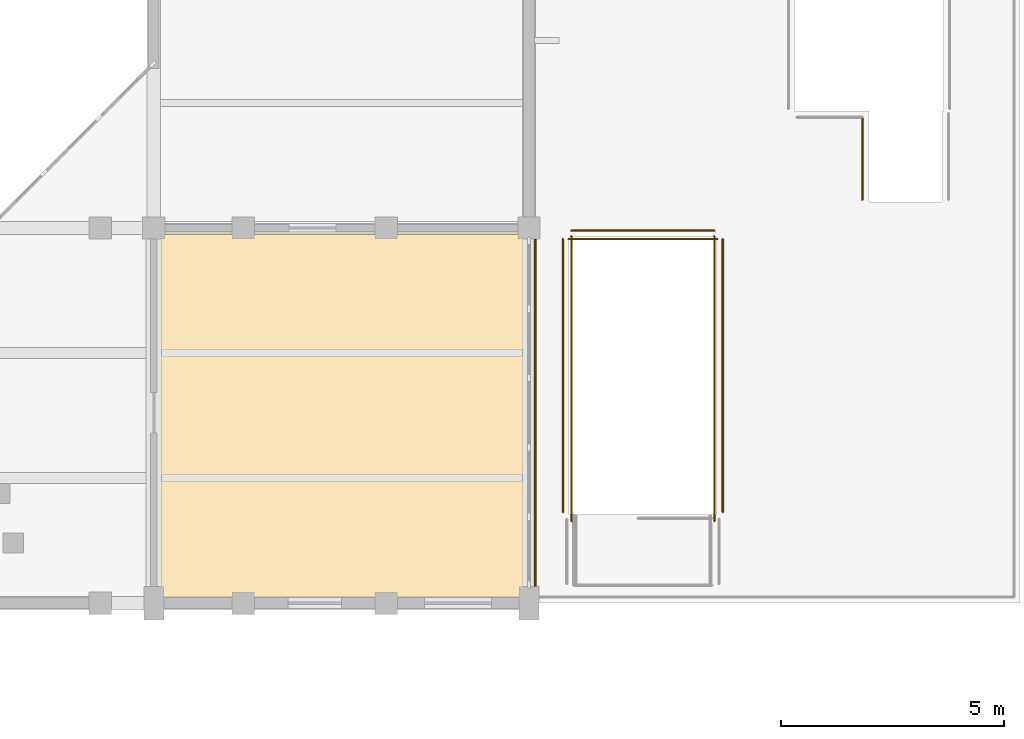
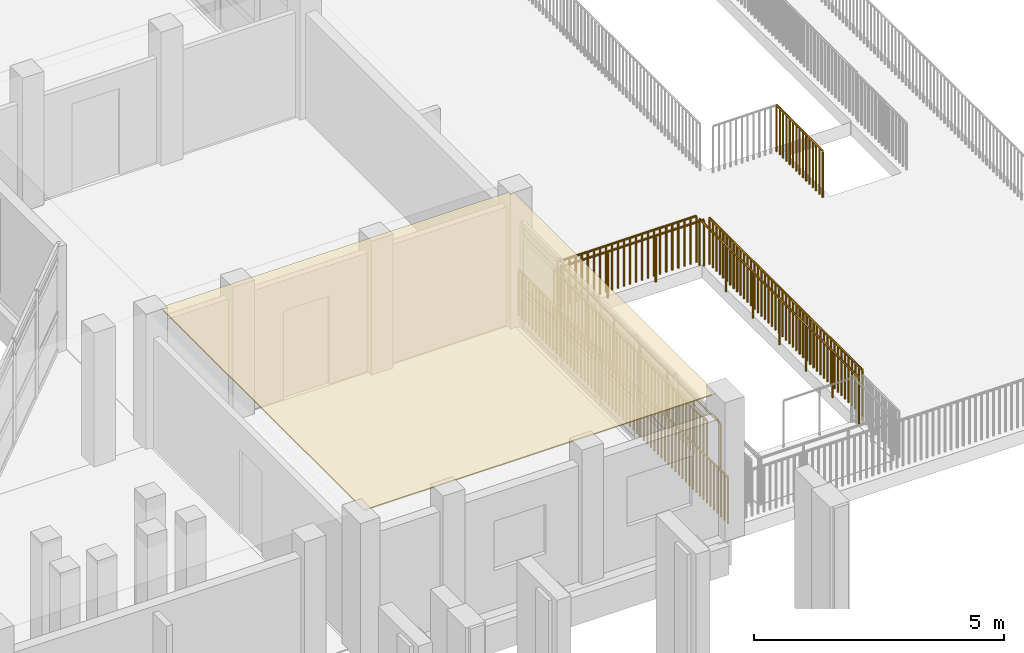
# One storey, part 82 of 104: 8 railings, 1 covering.
"""IFC4 building model written with IfcOpenShell, lengths in metres."""

from ifc_helpers import new_model, si_unit, direction, frame, origin, origin_2d, place, context, subcontext, project, spatial, polyline, circle, outline, extrude, material, layer, layer_set, type_object, element, save


model = new_model("IFC4")

# Units and contexts
model_context = context("Model", 3, precision=1e-05, world=origin(), true_north=direction((0.0, 1.0)))
body_context = subcontext(model_context, "Body", "Model", "MODEL_VIEW")
ifc_project = project(units=[si_unit("LENGTHUNIT", "METRE"), si_unit("AREAUNIT", "SQUARE_METRE"), si_unit("VOLUMEUNIT", "CUBIC_METRE"), si_unit("PLANEANGLEUNIT", "RADIAN"), si_unit("MASSUNIT", "GRAM", prefix="KILO")], contexts=[model_context])

# Site, building, storey
site_placement = place(None, origin())
site = spatial("IfcSite", under=ifc_project, at=site_placement, CompositionType="ELEMENT")
building_placement = place(site_placement, origin())
building = spatial("IfcBuilding", under=site, at=building_placement, Name="Vanh Quang Courtyard School", CompositionType="ELEMENT")
storey_placement = place(building_placement, frame((0.0, 0.0, 4.199951171875)))
storey = spatial("IfcBuildingStorey", under=building, at=storey_placement, Name="L01", CompositionType="ELEMENT", Elevation=4.199951171875)

# Covering
ifc_material_1 = material(Name="Perforated mineral-fibre acoustic ceiling board")
ifc_layer = layer(ifc_material_1, 0.02490234375)
ifc_layer_set = layer_set([ifc_layer], Name="Perforated mineral-fibre acoustic ceiling board")
covering_type = type_object("IfcCoveringType", Name="COV-CEIL-ACOUSTIC", PredefinedType="CEILING", material=ifc_layer_set)
covering_placement = place(storey_placement, frame((0.0, 0.0, 3.255126953125)))
element("IfcCovering", 1, at=covering_placement, inside=storey, type_object=covering_type, Name="Covering CV-CL1 (L01)", PredefinedType="CEILING", context=body_context, shape_type="SweptSolid", body=[
    extrude(outline(polyline([(111.159912109375, 4.330078125), (111.158935546875, 4.330078125), (111.157958984375, 4.330078125), (111.156982421875, 4.330322265625), (111.15625, 4.330810546875), (111.1552734375, 4.331298828125), (111.154296875, 4.331787109375), (111.15380859375, 4.332275390625), (111.15283203125, 4.3330078125), (111.15234375, 4.333740234375), (111.151611328125, 4.33447265625), (111.151123046875, 4.335205078125), (111.15087890625, 4.336181640625), (111.150390625, 4.337158203125), (111.150146484375, 4.337890625), (111.14990234375, 4.339111328125), (111.14990234375, 4.340087890625), (111.14990234375, 12.4599609375), (111.14990234375, 12.4609375), (111.150146484375, 12.4619140625), (111.150390625, 12.462890625), (111.15087890625, 12.4638671875), (111.151123046875, 12.464599609375), (111.151611328125, 12.465576171875), (111.15234375, 12.46630859375), (111.15283203125, 12.467041015625), (111.15380859375, 12.4677734375), (111.154296875, 12.46826171875), (111.1552734375, 12.46875), (111.15625, 12.46923828125), (111.156982421875, 12.469482421875), (111.157958984375, 12.4697265625), (111.158935546875, 12.469970703125), (111.159912109375, 12.469970703125), (119.260009765625, 12.469970703125), (119.260986328125, 12.469970703125), (119.261962890625, 12.4697265625), (119.262939453125, 12.469482421875), (119.263916015625, 12.46923828125), (119.2646484375, 12.46875), (119.265625, 12.46826171875), (119.266357421875, 12.4677734375), (119.26708984375, 12.467041015625), (119.267578125, 12.46630859375), (119.268310546875, 12.465576171875), (119.268798828125, 12.464599609375), (119.269287109375, 12.4638671875), (119.26953125, 12.462890625), (119.269775390625, 12.4619140625), (119.27001953125, 12.4609375), (119.27001953125, 12.4599609375), (119.27001953125, 4.340087890625), (119.27001953125, 4.339111328125), (119.269775390625, 4.337890625), (119.26953125, 4.337158203125), (119.269287109375, 4.336181640625), (119.268798828125, 4.335205078125), (119.268310546875, 4.33447265625), (119.267578125, 4.333740234375), (119.26708984375, 4.3330078125), (119.266357421875, 4.332275390625), (119.265625, 4.331787109375), (119.2646484375, 4.331298828125), (119.263916015625, 4.330810546875), (119.262939453125, 4.330322265625), (119.261962890625, 4.330078125), (119.260986328125, 4.330078125), (119.260009765625, 4.330078125), (111.159912109375, 4.330078125)])), origin(), (0.0, 0.0, 1.0), 0.02490234375),
])

# Railings
ifc_material_2 = material(Name="Galvanised painted steel EN 10025-2 S355J2", Category="steel")
railing_type = type_object("IfcRailingType", Name="RAIL-GUARD-1150", PredefinedType="BALUSTRADE", material=ifc_material_2)
railing_1_placement = place(storey_placement, frame((119.5400390625, 4.340087890625, 0.0)))
element("IfcRailing", 2, at=railing_1_placement, inside=storey, type_object=railing_type, Name="Railing GR-01 (L01)", PredefinedType="BALUSTRADE", context=body_context, shape_type="SweptSolid", body=[
    extrude(circle(Radius=0.02392578125, at=origin_2d()), frame((0.0, 0.0, 1.1259765625), z_axis=(0.0, 1.0, 0.0), x_axis=(-1.0, 0.0, 0.0)), (0.0, 0.0, 1.0), 8.365234375),
    extrude(circle(Radius=0.02099609375, at=origin_2d()), origin(), (0.0, 0.0, 1.0), 1.101806640625),
    extrude(circle(Radius=0.02099609375, at=origin_2d()), frame((0.0, 0.139404296875, 0.0)), (0.0, 0.0, 1.0), 1.101806640625),
    extrude(circle(Radius=0.02099609375, at=origin_2d()), frame((0.0, 0.27880859375, 0.0)), (0.0, 0.0, 1.0), 1.101806640625),
    extrude(circle(Radius=0.02099609375, at=origin_2d()), frame((0.0, 0.418212890625, 0.0)), (0.0, 0.0, 1.0), 1.101806640625),
    extrude(circle(Radius=0.02099609375, at=origin_2d()), frame((0.0, 0.5576171875, 0.0)), (0.0, 0.0, 1.0), 1.101806640625),
    extrude(circle(Radius=0.02099609375, at=origin_2d()), frame((0.0, 0.697021484375, 0.0)), (0.0, 0.0, 1.0), 1.101806640625),
    extrude(circle(Radius=0.02099609375, at=origin_2d()), frame((0.0, 0.83642578125, 0.0)), (0.0, 0.0, 1.0), 1.101806640625),
    extrude(circle(Radius=0.02099609375, at=origin_2d()), frame((0.0, 0.975830078125, 0.0)), (0.0, 0.0, 1.0), 1.101806640625),
    extrude(circle(Radius=0.02099609375, at=origin_2d()), frame((0.0, 1.115478515625, 0.0)), (0.0, 0.0, 1.0), 1.101806640625),
    extrude(circle(Radius=0.02099609375, at=origin_2d()), frame((0.0, 1.2548828125, 0.0)), (0.0, 0.0, 1.0), 1.101806640625),
    extrude(circle(Radius=0.02099609375, at=origin_2d()), frame((0.0, 1.394287109375, 0.0)), (0.0, 0.0, 1.0), 1.101806640625),
    extrude(circle(Radius=0.02099609375, at=origin_2d()), frame((0.0, 1.53369140625, 0.0)), (0.0, 0.0, 1.0), 1.101806640625),
    extrude(circle(Radius=0.02099609375, at=origin_2d()), frame((0.0, 1.673095703125, 0.0)), (0.0, 0.0, 1.0), 1.101806640625),
    extrude(circle(Radius=0.02099609375, at=origin_2d()), frame((0.0, 1.8125, 0.0)), (0.0, 0.0, 1.0), 1.101806640625),
    extrude(circle(Radius=0.02099609375, at=origin_2d()), frame((0.0, 1.951904296875, 0.0)), (0.0, 0.0, 1.0), 1.101806640625),
    extrude(circle(Radius=0.02099609375, at=origin_2d()), frame((0.0, 2.09130859375, 0.0)), (0.0, 0.0, 1.0), 1.101806640625),
    extrude(circle(Radius=0.02099609375, at=origin_2d()), frame((0.0, 2.230712890625, 0.0)), (0.0, 0.0, 1.0), 1.101806640625),
    extrude(circle(Radius=0.02099609375, at=origin_2d()), frame((0.0, 2.3701171875, 0.0)), (0.0, 0.0, 1.0), 1.101806640625),
    extrude(circle(Radius=0.02099609375, at=origin_2d()), frame((0.0, 2.509521484375, 0.0)), (0.0, 0.0, 1.0), 1.101806640625),
    extrude(circle(Radius=0.02099609375, at=origin_2d()), frame((0.0, 2.64892578125, 0.0)), (0.0, 0.0, 1.0), 1.101806640625),
    extrude(circle(Radius=0.02099609375, at=origin_2d()), frame((0.0, 2.788330078125, 0.0)), (0.0, 0.0, 1.0), 1.101806640625),
    extrude(circle(Radius=0.02099609375, at=origin_2d()), frame((0.0, 2.927734375, 0.0)), (0.0, 0.0, 1.0), 1.101806640625),
    extrude(circle(Radius=0.02099609375, at=origin_2d()), frame((0.0, 3.067138671875, 0.0)), (0.0, 0.0, 1.0), 1.101806640625),
    extrude(circle(Radius=0.02099609375, at=origin_2d()), frame((0.0, 3.206787109375, 0.0)), (0.0, 0.0, 1.0), 1.101806640625),
    extrude(circle(Radius=0.02099609375, at=origin_2d()), frame((0.0, 3.34619140625, 0.0)), (0.0, 0.0, 1.0), 1.101806640625),
    extrude(circle(Radius=0.02099609375, at=origin_2d()), frame((0.0, 3.485595703125, 0.0)), (0.0, 0.0, 1.0), 1.101806640625),
    extrude(circle(Radius=0.02099609375, at=origin_2d()), frame((0.0, 3.625, 0.0)), (0.0, 0.0, 1.0), 1.101806640625),
    extrude(circle(Radius=0.02099609375, at=origin_2d()), frame((0.0, 3.764404296875, 0.0)), (0.0, 0.0, 1.0), 1.101806640625),
    extrude(circle(Radius=0.02099609375, at=origin_2d()), frame((0.0, 3.90380859375, 0.0)), (0.0, 0.0, 1.0), 1.101806640625),
    extrude(circle(Radius=0.02099609375, at=origin_2d()), frame((0.0, 4.043212890625, 0.0)), (0.0, 0.0, 1.0), 1.101806640625),
    extrude(circle(Radius=0.02099609375, at=origin_2d()), frame((0.0, 4.1826171875, 0.0)), (0.0, 0.0, 1.0), 1.101806640625),
    extrude(circle(Radius=0.02099609375, at=origin_2d()), frame((0.0, 4.322021484375, 0.0)), (0.0, 0.0, 1.0), 1.101806640625),
    extrude(circle(Radius=0.02099609375, at=origin_2d()), frame((0.0, 4.46142578125, 0.0)), (0.0, 0.0, 1.0), 1.101806640625),
    extrude(circle(Radius=0.02099609375, at=origin_2d()), frame((0.0, 4.600830078125, 0.0)), (0.0, 0.0, 1.0), 1.101806640625),
    extrude(circle(Radius=0.02099609375, at=origin_2d()), frame((0.0, 4.740234375, 0.0)), (0.0, 0.0, 1.0), 1.101806640625),
    extrude(circle(Radius=0.02099609375, at=origin_2d()), frame((0.0, 4.879638671875, 0.0)), (0.0, 0.0, 1.0), 1.101806640625),
    extrude(circle(Radius=0.02099609375, at=origin_2d()), frame((0.0, 5.01904296875, 0.0)), (0.0, 0.0, 1.0), 1.101806640625),
    extrude(circle(Radius=0.02099609375, at=origin_2d()), frame((0.0, 5.158447265625, 0.0)), (0.0, 0.0, 1.0), 1.101806640625),
    extrude(circle(Radius=0.02099609375, at=origin_2d()), frame((0.0, 5.298095703125, 0.0)), (0.0, 0.0, 1.0), 1.101806640625),
    extrude(circle(Radius=0.02099609375, at=origin_2d()), frame((0.0, 5.4375, 0.0)), (0.0, 0.0, 1.0), 1.101806640625),
    extrude(circle(Radius=0.02099609375, at=origin_2d()), frame((0.0, 5.576904296875, 0.0)), (0.0, 0.0, 1.0), 1.101806640625),
    extrude(circle(Radius=0.02099609375, at=origin_2d()), frame((0.0, 5.71630859375, 0.0)), (0.0, 0.0, 1.0), 1.101806640625),
    extrude(circle(Radius=0.02099609375, at=origin_2d()), frame((0.0, 5.855712890625, 0.0)), (0.0, 0.0, 1.0), 1.101806640625),
    extrude(circle(Radius=0.02099609375, at=origin_2d()), frame((0.0, 5.9951171875, 0.0)), (0.0, 0.0, 1.0), 1.101806640625),
    extrude(circle(Radius=0.02099609375, at=origin_2d()), frame((0.0, 6.134521484375, 0.0)), (0.0, 0.0, 1.0), 1.101806640625),
    extrude(circle(Radius=0.02099609375, at=origin_2d()), frame((0.0, 6.27392578125, 0.0)), (0.0, 0.0, 1.0), 1.101806640625),
    extrude(circle(Radius=0.02099609375, at=origin_2d()), frame((0.0, 6.413330078125, 0.0)), (0.0, 0.0, 1.0), 1.101806640625),
    extrude(circle(Radius=0.02099609375, at=origin_2d()), frame((0.0, 6.552734375, 0.0)), (0.0, 0.0, 1.0), 1.101806640625),
    extrude(circle(Radius=0.02099609375, at=origin_2d()), frame((0.0, 6.692138671875, 0.0)), (0.0, 0.0, 1.0), 1.101806640625),
    extrude(circle(Radius=0.02099609375, at=origin_2d()), frame((0.0, 6.83154296875, 0.0)), (0.0, 0.0, 1.0), 1.101806640625),
    extrude(circle(Radius=0.02099609375, at=origin_2d()), frame((0.0, 6.970947265625, 0.0)), (0.0, 0.0, 1.0), 1.101806640625),
    extrude(circle(Radius=0.02099609375, at=origin_2d()), frame((0.0, 7.1103515625, 0.0)), (0.0, 0.0, 1.0), 1.101806640625),
    extrude(circle(Radius=0.02099609375, at=origin_2d()), frame((0.0, 7.249755859375, 0.0)), (0.0, 0.0, 1.0), 1.101806640625),
    extrude(circle(Radius=0.02099609375, at=origin_2d()), frame((0.0, 7.389404296875, 0.0)), (0.0, 0.0, 1.0), 1.101806640625),
    extrude(circle(Radius=0.02099609375, at=origin_2d()), frame((0.0, 7.52880859375, 0.0)), (0.0, 0.0, 1.0), 1.101806640625),
    extrude(circle(Radius=0.02099609375, at=origin_2d()), frame((0.0, 7.668212890625, 0.0)), (0.0, 0.0, 1.0), 1.101806640625),
    extrude(circle(Radius=0.02099609375, at=origin_2d()), frame((0.0, 7.8076171875, 0.0)), (0.0, 0.0, 1.0), 1.101806640625),
    extrude(circle(Radius=0.02099609375, at=origin_2d()), frame((0.0, 7.947021484375, 0.0)), (0.0, 0.0, 1.0), 1.101806640625),
    extrude(circle(Radius=0.02099609375, at=origin_2d()), frame((0.0, 8.08642578125, 0.0)), (0.0, 0.0, 1.0), 1.101806640625),
    extrude(circle(Radius=0.02099609375, at=origin_2d()), frame((0.0, 8.225830078125, 0.0)), (0.0, 0.0, 1.0), 1.101806640625),
    extrude(circle(Radius=0.02099609375, at=origin_2d()), frame((0.0, 8.365234375, 0.0)), (0.0, 0.0, 1.0), 1.101806640625),
])
railing_2_placement = place(storey_placement, frame((126.864990234375, 15.080078125, 0.0)))
element("IfcRailing", 3, at=railing_2_placement, inside=storey, type_object=railing_type, Name="Railing GR-01 (L01)", PredefinedType="BALUSTRADE", context=body_context, shape_type="SweptSolid", body=[
    extrude(circle(Radius=0.02392578125, at=origin_2d()), frame((0.0, 0.0, 1.1259765625), z_axis=(0.0, -1.0, 0.0), x_axis=(1.0, 0.0, 0.0)), (0.0, 0.0, 1.0), 1.844970703125),
    extrude(circle(Radius=0.02099609375, at=origin_2d()), origin(), (0.0, 0.0, 1.0), 1.101806640625),
    extrude(circle(Radius=0.02099609375, at=origin_2d()), frame((0.0, -0.1318359375, 0.0)), (0.0, 0.0, 1.0), 1.101806640625),
    extrude(circle(Radius=0.02099609375, at=origin_2d()), frame((0.0, -0.263671875, 0.0)), (0.0, 0.0, 1.0), 1.101806640625),
    extrude(circle(Radius=0.02099609375, at=origin_2d()), frame((0.0, -0.395263671875, 0.0)), (0.0, 0.0, 1.0), 1.101806640625),
    extrude(circle(Radius=0.02099609375, at=origin_2d()), frame((0.0, -0.527099609375, 0.0)), (0.0, 0.0, 1.0), 1.101806640625),
    extrude(circle(Radius=0.02099609375, at=origin_2d()), frame((0.0, -0.658935546875, 0.0)), (0.0, 0.0, 1.0), 1.101806640625),
    extrude(circle(Radius=0.02099609375, at=origin_2d()), frame((0.0, -0.790771484375, 0.0)), (0.0, 0.0, 1.0), 1.101806640625),
    extrude(circle(Radius=0.02099609375, at=origin_2d()), frame((0.0, -0.92236328125, 0.0)), (0.0, 0.0, 1.0), 1.101806640625),
    extrude(circle(Radius=0.02099609375, at=origin_2d()), frame((0.0, -1.05419921875, 0.0)), (0.0, 0.0, 1.0), 1.101806640625),
    extrude(circle(Radius=0.02099609375, at=origin_2d()), frame((0.0, -1.18603515625, 0.0)), (0.0, 0.0, 1.0), 1.101806640625),
    extrude(circle(Radius=0.02099609375, at=origin_2d()), frame((0.0, -1.31787109375, 0.0)), (0.0, 0.0, 1.0), 1.101806640625),
    extrude(circle(Radius=0.02099609375, at=origin_2d()), frame((0.0, -1.44970703125, 0.0)), (0.0, 0.0, 1.0), 1.101806640625),
    extrude(circle(Radius=0.02099609375, at=origin_2d()), frame((0.0, -1.581298828125, 0.0)), (0.0, 0.0, 1.0), 1.101806640625),
    extrude(circle(Radius=0.02099609375, at=origin_2d()), frame((0.0, -1.713134765625, 0.0)), (0.0, 0.0, 1.0), 1.101806640625),
    extrude(circle(Radius=0.02099609375, at=origin_2d()), frame((0.0, -1.844970703125, 0.0)), (0.0, 0.0, 1.0), 1.101806640625),
])
railing_3_placement = place(storey_placement, frame((123.739990234375, 6.239990234375, 0.0)))
element("IfcRailing", 4, at=railing_3_placement, inside=storey, type_object=railing_type, Name="Railing GR-01 (L01)", PredefinedType="BALUSTRADE", context=body_context, shape_type="SweptSolid", body=[
    extrude(circle(Radius=0.02392578125, at=origin_2d()), frame((0.0, 0.0, 1.1259765625), z_axis=(0.0, 1.0, 0.0), x_axis=(-1.0, 0.0, 0.0)), (0.0, 0.0, 1.0), 6.110107421875),
    extrude(circle(Radius=0.02099609375, at=origin_2d()), origin(), (0.0, 0.0, 1.0), 1.101806640625),
    extrude(circle(Radius=0.02099609375, at=origin_2d()), frame((0.0, 0.138916015625, 0.0)), (0.0, 0.0, 1.0), 1.101806640625),
    extrude(circle(Radius=0.02099609375, at=origin_2d()), frame((0.0, 0.27783203125, 0.0)), (0.0, 0.0, 1.0), 1.101806640625),
    extrude(circle(Radius=0.02099609375, at=origin_2d()), frame((0.0, 0.41650390625, 0.0)), (0.0, 0.0, 1.0), 1.101806640625),
    extrude(circle(Radius=0.02099609375, at=origin_2d()), frame((0.0, 0.555419921875, 0.0)), (0.0, 0.0, 1.0), 1.101806640625),
    extrude(circle(Radius=0.02099609375, at=origin_2d()), frame((0.0, 0.6943359375, 0.0)), (0.0, 0.0, 1.0), 1.101806640625),
    extrude(circle(Radius=0.02099609375, at=origin_2d()), frame((0.0, 0.833251953125, 0.0)), (0.0, 0.0, 1.0), 1.101806640625),
    extrude(circle(Radius=0.02099609375, at=origin_2d()), frame((0.0, 0.97216796875, 0.0)), (0.0, 0.0, 1.0), 1.101806640625),
    extrude(circle(Radius=0.02099609375, at=origin_2d()), frame((0.0, 1.11083984375, 0.0)), (0.0, 0.0, 1.0), 1.101806640625),
    extrude(circle(Radius=0.02099609375, at=origin_2d()), frame((0.0, 1.249755859375, 0.0)), (0.0, 0.0, 1.0), 1.101806640625),
    extrude(circle(Radius=0.02099609375, at=origin_2d()), frame((0.0, 1.388671875, 0.0)), (0.0, 0.0, 1.0), 1.101806640625),
    extrude(circle(Radius=0.02099609375, at=origin_2d()), frame((0.0, 1.527587890625, 0.0)), (0.0, 0.0, 1.0), 1.101806640625),
    extrude(circle(Radius=0.02099609375, at=origin_2d()), frame((0.0, 1.66650390625, 0.0)), (0.0, 0.0, 1.0), 1.101806640625),
    extrude(circle(Radius=0.02099609375, at=origin_2d()), frame((0.0, 1.80517578125, 0.0)), (0.0, 0.0, 1.0), 1.101806640625),
    extrude(circle(Radius=0.02099609375, at=origin_2d()), frame((0.0, 1.944091796875, 0.0)), (0.0, 0.0, 1.0), 1.101806640625),
    extrude(circle(Radius=0.02099609375, at=origin_2d()), frame((0.0, 2.0830078125, 0.0)), (0.0, 0.0, 1.0), 1.101806640625),
    extrude(circle(Radius=0.02099609375, at=origin_2d()), frame((0.0, 2.221923828125, 0.0)), (0.0, 0.0, 1.0), 1.101806640625),
    extrude(circle(Radius=0.02099609375, at=origin_2d()), frame((0.0, 2.36083984375, 0.0)), (0.0, 0.0, 1.0), 1.101806640625),
    extrude(circle(Radius=0.02099609375, at=origin_2d()), frame((0.0, 2.49951171875, 0.0)), (0.0, 0.0, 1.0), 1.101806640625),
    extrude(circle(Radius=0.02099609375, at=origin_2d()), frame((0.0, 2.638427734375, 0.0)), (0.0, 0.0, 1.0), 1.101806640625),
    extrude(circle(Radius=0.02099609375, at=origin_2d()), frame((0.0, 2.77734375, 0.0)), (0.0, 0.0, 1.0), 1.101806640625),
    extrude(circle(Radius=0.02099609375, at=origin_2d()), frame((0.0, 2.916259765625, 0.0)), (0.0, 0.0, 1.0), 1.101806640625),
    extrude(circle(Radius=0.02099609375, at=origin_2d()), frame((0.0, 3.05517578125, 0.0)), (0.0, 0.0, 1.0), 1.101806640625),
    extrude(circle(Radius=0.02099609375, at=origin_2d()), frame((0.0, 3.19384765625, 0.0)), (0.0, 0.0, 1.0), 1.101806640625),
    extrude(circle(Radius=0.02099609375, at=origin_2d()), frame((0.0, 3.332763671875, 0.0)), (0.0, 0.0, 1.0), 1.101806640625),
    extrude(circle(Radius=0.02099609375, at=origin_2d()), frame((0.0, 3.4716796875, 0.0)), (0.0, 0.0, 1.0), 1.101806640625),
    extrude(circle(Radius=0.02099609375, at=origin_2d()), frame((0.0, 3.610595703125, 0.0)), (0.0, 0.0, 1.0), 1.101806640625),
    extrude(circle(Radius=0.02099609375, at=origin_2d()), frame((0.0, 3.749267578125, 0.0)), (0.0, 0.0, 1.0), 1.101806640625),
    extrude(circle(Radius=0.02099609375, at=origin_2d()), frame((0.0, 3.88818359375, 0.0)), (0.0, 0.0, 1.0), 1.101806640625),
    extrude(circle(Radius=0.02099609375, at=origin_2d()), frame((0.0, 4.027099609375, 0.0)), (0.0, 0.0, 1.0), 1.101806640625),
    extrude(circle(Radius=0.02099609375, at=origin_2d()), frame((0.0, 4.166015625, 0.0)), (0.0, 0.0, 1.0), 1.101806640625),
    extrude(circle(Radius=0.02099609375, at=origin_2d()), frame((0.0, 4.304931640625, 0.0)), (0.0, 0.0, 1.0), 1.101806640625),
    extrude(circle(Radius=0.02099609375, at=origin_2d()), frame((0.0, 4.443603515625, 0.0)), (0.0, 0.0, 1.0), 1.101806640625),
    extrude(circle(Radius=0.02099609375, at=origin_2d()), frame((0.0, 4.58251953125, 0.0)), (0.0, 0.0, 1.0), 1.101806640625),
    extrude(circle(Radius=0.02099609375, at=origin_2d()), frame((0.0, 4.721435546875, 0.0)), (0.0, 0.0, 1.0), 1.101806640625),
    extrude(circle(Radius=0.02099609375, at=origin_2d()), frame((0.0, 4.8603515625, 0.0)), (0.0, 0.0, 1.0), 1.101806640625),
    extrude(circle(Radius=0.02099609375, at=origin_2d()), frame((0.0, 4.999267578125, 0.0)), (0.0, 0.0, 1.0), 1.101806640625),
    extrude(circle(Radius=0.02099609375, at=origin_2d()), frame((0.0, 5.137939453125, 0.0)), (0.0, 0.0, 1.0), 1.101806640625),
    extrude(circle(Radius=0.02099609375, at=origin_2d()), frame((0.0, 5.27685546875, 0.0)), (0.0, 0.0, 1.0), 1.101806640625),
    extrude(circle(Radius=0.02099609375, at=origin_2d()), frame((0.0, 5.415771484375, 0.0)), (0.0, 0.0, 1.0), 1.101806640625),
    extrude(circle(Radius=0.02099609375, at=origin_2d()), frame((0.0, 5.5546875, 0.0)), (0.0, 0.0, 1.0), 1.101806640625),
    extrude(circle(Radius=0.02099609375, at=origin_2d()), frame((0.0, 5.693603515625, 0.0)), (0.0, 0.0, 1.0), 1.101806640625),
    extrude(circle(Radius=0.02099609375, at=origin_2d()), frame((0.0, 5.832275390625, 0.0)), (0.0, 0.0, 1.0), 1.101806640625),
    extrude(circle(Radius=0.02099609375, at=origin_2d()), frame((0.0, 5.97119140625, 0.0)), (0.0, 0.0, 1.0), 1.101806640625),
    extrude(circle(Radius=0.02099609375, at=origin_2d()), frame((0.0, 6.110107421875, 0.0)), (0.0, 0.0, 1.0), 1.101806640625),
])
railing_4_placement = place(storey_placement, frame((123.550048828125, 12.5400390625, 0.0)))
element("IfcRailing", 5, at=railing_4_placement, inside=storey, type_object=railing_type, Name="Railing GR-01 (L01)", PredefinedType="BALUSTRADE", context=body_context, shape_type="SweptSolid", body=[
    extrude(circle(Radius=0.02392578125, at=origin_2d()), frame((0.0, 0.0, 1.1259765625), z_axis=(-1.0, 0.0, 0.0), x_axis=(0.0, -1.0, 0.0)), (0.0, 0.0, 1.0), 3.199951171875),
    extrude(circle(Radius=0.02099609375, at=origin_2d()), origin(), (0.0, 0.0, 1.0), 1.101806640625),
    extrude(circle(Radius=0.02099609375, at=origin_2d()), frame((-0.13916015625, 0.0, 0.0)), (0.0, 0.0, 1.0), 1.101806640625),
    extrude(circle(Radius=0.02099609375, at=origin_2d()), frame((-0.2783203125, 0.0, 0.0)), (0.0, 0.0, 1.0), 1.101806640625),
    extrude(circle(Radius=0.02099609375, at=origin_2d()), frame((-0.41748046875, 0.0, 0.0)), (0.0, 0.0, 1.0), 1.101806640625),
    extrude(circle(Radius=0.02099609375, at=origin_2d()), frame((-0.556396484375, 0.0, 0.0)), (0.0, 0.0, 1.0), 1.101806640625),
    extrude(circle(Radius=0.02099609375, at=origin_2d()), frame((-0.695556640625, 0.0, 0.0)), (0.0, 0.0, 1.0), 1.101806640625),
    extrude(circle(Radius=0.02099609375, at=origin_2d()), frame((-0.834716796875, 0.0, 0.0)), (0.0, 0.0, 1.0), 1.101806640625),
    extrude(circle(Radius=0.02099609375, at=origin_2d()), frame((-0.973876953125, 0.0, 0.0)), (0.0, 0.0, 1.0), 1.101806640625),
    extrude(circle(Radius=0.02099609375, at=origin_2d()), frame((-1.113037109375, 0.0, 0.0)), (0.0, 0.0, 1.0), 1.101806640625),
    extrude(circle(Radius=0.02099609375, at=origin_2d()), frame((-1.252197265625, 0.0, 0.0)), (0.0, 0.0, 1.0), 1.101806640625),
    extrude(circle(Radius=0.02099609375, at=origin_2d()), frame((-1.391357421875, 0.0, 0.0)), (0.0, 0.0, 1.0), 1.101806640625),
    extrude(circle(Radius=0.02099609375, at=origin_2d()), frame((-1.530517578125, 0.0, 0.0)), (0.0, 0.0, 1.0), 1.101806640625),
    extrude(circle(Radius=0.02099609375, at=origin_2d()), frame((-1.66943359375, 0.0, 0.0)), (0.0, 0.0, 1.0), 1.101806640625),
    extrude(circle(Radius=0.02099609375, at=origin_2d()), frame((-1.80859375, 0.0, 0.0)), (0.0, 0.0, 1.0), 1.101806640625),
    extrude(circle(Radius=0.02099609375, at=origin_2d()), frame((-1.94775390625, 0.0, 0.0)), (0.0, 0.0, 1.0), 1.101806640625),
    extrude(circle(Radius=0.02099609375, at=origin_2d()), frame((-2.0869140625, 0.0, 0.0)), (0.0, 0.0, 1.0), 1.101806640625),
    extrude(circle(Radius=0.02099609375, at=origin_2d()), frame((-2.22607421875, 0.0, 0.0)), (0.0, 0.0, 1.0), 1.101806640625),
    extrude(circle(Radius=0.02099609375, at=origin_2d()), frame((-2.365234375, 0.0, 0.0)), (0.0, 0.0, 1.0), 1.101806640625),
    extrude(circle(Radius=0.02099609375, at=origin_2d()), frame((-2.50439453125, 0.0, 0.0)), (0.0, 0.0, 1.0), 1.101806640625),
    extrude(circle(Radius=0.02099609375, at=origin_2d()), frame((-2.6435546875, 0.0, 0.0)), (0.0, 0.0, 1.0), 1.101806640625),
    extrude(circle(Radius=0.02099609375, at=origin_2d()), frame((-2.782470703125, 0.0, 0.0)), (0.0, 0.0, 1.0), 1.101806640625),
    extrude(circle(Radius=0.02099609375, at=origin_2d()), frame((-2.921630859375, 0.0, 0.0)), (0.0, 0.0, 1.0), 1.101806640625),
    extrude(circle(Radius=0.02099609375, at=origin_2d()), frame((-3.060791015625, 0.0, 0.0)), (0.0, 0.0, 1.0), 1.101806640625),
    extrude(circle(Radius=0.02099609375, at=origin_2d()), frame((-3.199951171875, 0.0, 0.0)), (0.0, 0.0, 1.0), 1.101806640625),
])
railing_5_placement = place(storey_placement, frame((120.159912109375, 12.35009765625, 0.0)))
element("IfcRailing", 6, at=railing_5_placement, inside=storey, type_object=railing_type, Name="Railing GR-01 (L01)", PredefinedType="BALUSTRADE", context=body_context, shape_type="SweptSolid", body=[
    extrude(circle(Radius=0.02392578125, at=origin_2d()), frame((0.0, 0.0, 1.1259765625), z_axis=(0.0, -1.0, 0.0), x_axis=(1.0, 0.0, 0.0)), (0.0, 0.0, 1.0), 6.110107421875),
    extrude(circle(Radius=0.02099609375, at=origin_2d()), origin(), (0.0, 0.0, 1.0), 1.101806640625),
    extrude(circle(Radius=0.02099609375, at=origin_2d()), frame((0.0, -0.138916015625, 0.0)), (0.0, 0.0, 1.0), 1.101806640625),
    extrude(circle(Radius=0.02099609375, at=origin_2d()), frame((0.0, -0.27783203125, 0.0)), (0.0, 0.0, 1.0), 1.101806640625),
    extrude(circle(Radius=0.02099609375, at=origin_2d()), frame((0.0, -0.41650390625, 0.0)), (0.0, 0.0, 1.0), 1.101806640625),
    extrude(circle(Radius=0.02099609375, at=origin_2d()), frame((0.0, -0.555419921875, 0.0)), (0.0, 0.0, 1.0), 1.101806640625),
    extrude(circle(Radius=0.02099609375, at=origin_2d()), frame((0.0, -0.6943359375, 0.0)), (0.0, 0.0, 1.0), 1.101806640625),
    extrude(circle(Radius=0.02099609375, at=origin_2d()), frame((0.0, -0.833251953125, 0.0)), (0.0, 0.0, 1.0), 1.101806640625),
    extrude(circle(Radius=0.02099609375, at=origin_2d()), frame((0.0, -0.97216796875, 0.0)), (0.0, 0.0, 1.0), 1.101806640625),
    extrude(circle(Radius=0.02099609375, at=origin_2d()), frame((0.0, -1.11083984375, 0.0)), (0.0, 0.0, 1.0), 1.101806640625),
    extrude(circle(Radius=0.02099609375, at=origin_2d()), frame((0.0, -1.249755859375, 0.0)), (0.0, 0.0, 1.0), 1.101806640625),
    extrude(circle(Radius=0.02099609375, at=origin_2d()), frame((0.0, -1.388671875, 0.0)), (0.0, 0.0, 1.0), 1.101806640625),
    extrude(circle(Radius=0.02099609375, at=origin_2d()), frame((0.0, -1.527587890625, 0.0)), (0.0, 0.0, 1.0), 1.101806640625),
    extrude(circle(Radius=0.02099609375, at=origin_2d()), frame((0.0, -1.66650390625, 0.0)), (0.0, 0.0, 1.0), 1.101806640625),
    extrude(circle(Radius=0.02099609375, at=origin_2d()), frame((0.0, -1.80517578125, 0.0)), (0.0, 0.0, 1.0), 1.101806640625),
    extrude(circle(Radius=0.02099609375, at=origin_2d()), frame((0.0, -1.944091796875, 0.0)), (0.0, 0.0, 1.0), 1.101806640625),
    extrude(circle(Radius=0.02099609375, at=origin_2d()), frame((0.0, -2.0830078125, 0.0)), (0.0, 0.0, 1.0), 1.101806640625),
    extrude(circle(Radius=0.02099609375, at=origin_2d()), frame((0.0, -2.221923828125, 0.0)), (0.0, 0.0, 1.0), 1.101806640625),
    extrude(circle(Radius=0.02099609375, at=origin_2d()), frame((0.0, -2.36083984375, 0.0)), (0.0, 0.0, 1.0), 1.101806640625),
    extrude(circle(Radius=0.02099609375, at=origin_2d()), frame((0.0, -2.49951171875, 0.0)), (0.0, 0.0, 1.0), 1.101806640625),
    extrude(circle(Radius=0.02099609375, at=origin_2d()), frame((0.0, -2.638427734375, 0.0)), (0.0, 0.0, 1.0), 1.101806640625),
    extrude(circle(Radius=0.02099609375, at=origin_2d()), frame((0.0, -2.77734375, 0.0)), (0.0, 0.0, 1.0), 1.101806640625),
    extrude(circle(Radius=0.02099609375, at=origin_2d()), frame((0.0, -2.916259765625, 0.0)), (0.0, 0.0, 1.0), 1.101806640625),
    extrude(circle(Radius=0.02099609375, at=origin_2d()), frame((0.0, -3.05517578125, 0.0)), (0.0, 0.0, 1.0), 1.101806640625),
    extrude(circle(Radius=0.02099609375, at=origin_2d()), frame((0.0, -3.19384765625, 0.0)), (0.0, 0.0, 1.0), 1.101806640625),
    extrude(circle(Radius=0.02099609375, at=origin_2d()), frame((0.0, -3.332763671875, 0.0)), (0.0, 0.0, 1.0), 1.101806640625),
    extrude(circle(Radius=0.02099609375, at=origin_2d()), frame((0.0, -3.4716796875, 0.0)), (0.0, 0.0, 1.0), 1.101806640625),
    extrude(circle(Radius=0.02099609375, at=origin_2d()), frame((0.0, -3.610595703125, 0.0)), (0.0, 0.0, 1.0), 1.101806640625),
    extrude(circle(Radius=0.02099609375, at=origin_2d()), frame((0.0, -3.749267578125, 0.0)), (0.0, 0.0, 1.0), 1.101806640625),
    extrude(circle(Radius=0.02099609375, at=origin_2d()), frame((0.0, -3.88818359375, 0.0)), (0.0, 0.0, 1.0), 1.101806640625),
    extrude(circle(Radius=0.02099609375, at=origin_2d()), frame((0.0, -4.027099609375, 0.0)), (0.0, 0.0, 1.0), 1.101806640625),
    extrude(circle(Radius=0.02099609375, at=origin_2d()), frame((0.0, -4.166015625, 0.0)), (0.0, 0.0, 1.0), 1.101806640625),
    extrude(circle(Radius=0.02099609375, at=origin_2d()), frame((0.0, -4.304931640625, 0.0)), (0.0, 0.0, 1.0), 1.101806640625),
    extrude(circle(Radius=0.02099609375, at=origin_2d()), frame((0.0, -4.443603515625, 0.0)), (0.0, 0.0, 1.0), 1.101806640625),
    extrude(circle(Radius=0.02099609375, at=origin_2d()), frame((0.0, -4.58251953125, 0.0)), (0.0, 0.0, 1.0), 1.101806640625),
    extrude(circle(Radius=0.02099609375, at=origin_2d()), frame((0.0, -4.721435546875, 0.0)), (0.0, 0.0, 1.0), 1.101806640625),
    extrude(circle(Radius=0.02099609375, at=origin_2d()), frame((0.0, -4.8603515625, 0.0)), (0.0, 0.0, 1.0), 1.101806640625),
    extrude(circle(Radius=0.02099609375, at=origin_2d()), frame((0.0, -4.999267578125, 0.0)), (0.0, 0.0, 1.0), 1.101806640625),
    extrude(circle(Radius=0.02099609375, at=origin_2d()), frame((0.0, -5.137939453125, 0.0)), (0.0, 0.0, 1.0), 1.101806640625),
    extrude(circle(Radius=0.02099609375, at=origin_2d()), frame((0.0, -5.27685546875, 0.0)), (0.0, 0.0, 1.0), 1.101806640625),
    extrude(circle(Radius=0.02099609375, at=origin_2d()), frame((0.0, -5.415771484375, 0.0)), (0.0, 0.0, 1.0), 1.101806640625),
    extrude(circle(Radius=0.02099609375, at=origin_2d()), frame((0.0, -5.5546875, 0.0)), (0.0, 0.0, 1.0), 1.101806640625),
    extrude(circle(Radius=0.02099609375, at=origin_2d()), frame((0.0, -5.693603515625, 0.0)), (0.0, 0.0, 1.0), 1.101806640625),
    extrude(circle(Radius=0.02099609375, at=origin_2d()), frame((0.0, -5.832275390625, 0.0)), (0.0, 0.0, 1.0), 1.101806640625),
    extrude(circle(Radius=0.02099609375, at=origin_2d()), frame((0.0, -5.97119140625, 0.0)), (0.0, 0.0, 1.0), 1.101806640625),
    extrude(circle(Radius=0.02099609375, at=origin_2d()), frame((0.0, -6.110107421875, 0.0)), (0.0, 0.0, 1.0), 1.101806640625),
])
for number, where, name in (
    (7, (123.550048828125, 6.0380859375, 0.0), "L01 ST-T1 top well guard 2"),
    (8, (120.35009765625, 6.0380859375, 0.0), "L01 ST-T1 top well guard 3"),
):
    element("IfcRailing", number, at=place(storey_placement, frame(where)), inside=storey, type_object=railing_type, Name=name, PredefinedType="BALUSTRADE", context=body_context, shape_type="SweptSolid", body=[
        extrude(circle(Radius=0.02392578125, at=origin_2d()), frame((0.0, 0.0, 1.1259765625), z_axis=(0.0, 1.0, 0.0), x_axis=(-1.0, 0.0, 0.0)), (0.0, 0.0, 1.0), 6.3740234375),
        extrude(circle(Radius=0.02099609375, at=origin_2d()), origin(), (0.0, 0.0, 1.0), 1.101806640625),
        extrude(circle(Radius=0.02099609375, at=origin_2d()), frame((0.0, 1.062255859375, 0.0)), (0.0, 0.0, 1.0), 1.101806640625),
        extrude(circle(Radius=0.02099609375, at=origin_2d()), frame((0.0, 2.124755859375, 0.0)), (0.0, 0.0, 1.0), 1.101806640625),
        extrude(circle(Radius=0.02099609375, at=origin_2d()), frame((0.0, 3.18701171875, 0.0)), (0.0, 0.0, 1.0), 1.101806640625),
        extrude(circle(Radius=0.02099609375, at=origin_2d()), frame((0.0, 4.249267578125, 0.0)), (0.0, 0.0, 1.0), 1.101806640625),
        extrude(circle(Radius=0.02099609375, at=origin_2d()), frame((0.0, 5.311767578125, 0.0)), (0.0, 0.0, 1.0), 1.101806640625),
        extrude(circle(Radius=0.02099609375, at=origin_2d()), frame((0.0, 6.3740234375, 0.0)), (0.0, 0.0, 1.0), 1.101806640625),
    ])
railing_6_placement = place(storey_placement, frame((123.612060546875, 12.35009765625, 0.0)))
element("IfcRailing", 9, at=railing_6_placement, inside=storey, type_object=railing_type, Name="L01 ST-T1 top well guard 4", PredefinedType="BALUSTRADE", context=body_context, shape_type="SweptSolid", body=[
    extrude(circle(Radius=0.02392578125, at=origin_2d()), frame((0.0, 0.0, 1.1259765625), z_axis=(-1.0, 0.0, 0.0), x_axis=(0.0, -1.0, 0.0)), (0.0, 0.0, 1.0), 3.323974609375),
    extrude(circle(Radius=0.02099609375, at=origin_2d()), origin(), (0.0, 0.0, 1.0), 1.101806640625),
    extrude(circle(Radius=0.02099609375, at=origin_2d()), frame((-1.10791015625, 0.0, 0.0)), (0.0, 0.0, 1.0), 1.101806640625),
    extrude(circle(Radius=0.02099609375, at=origin_2d()), frame((-2.216064453125, 0.0, 0.0)), (0.0, 0.0, 1.0), 1.101806640625),
    extrude(circle(Radius=0.02099609375, at=origin_2d()), frame((-3.323974609375, 0.0, 0.0)), (0.0, 0.0, 1.0), 1.101806640625),
])

save(model, "model.ifc")
